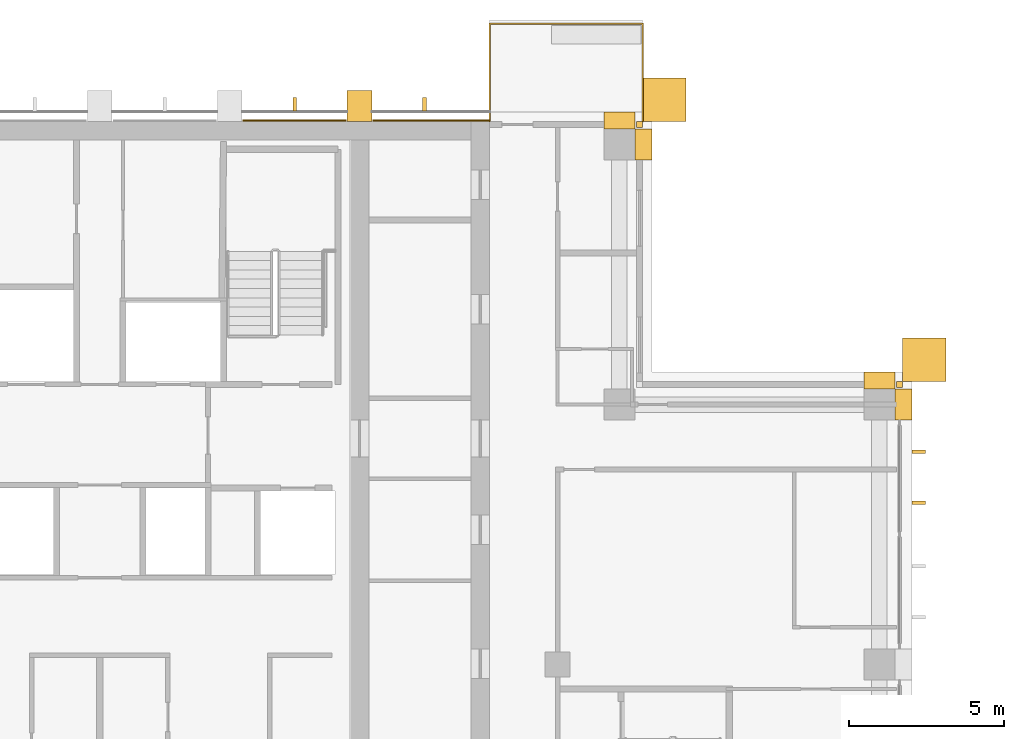
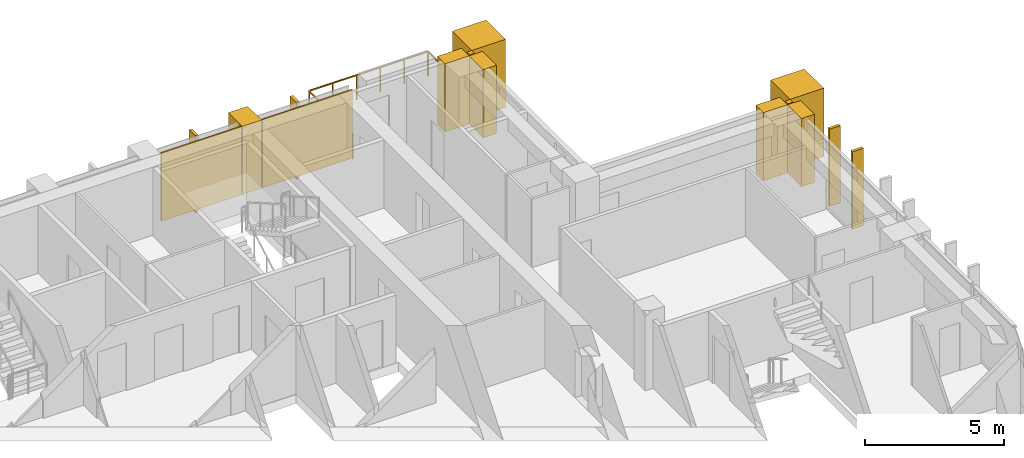
# One storey, part 19 of 19: 15 coverings, 1 railing.
"""IFC4 building model written with IfcOpenShell, lengths in metres."""

from ifc_helpers import new_model, si_unit, direction, frame, origin, origin_2d, place, context, subcontext, project, spatial, polyline, rectangle, outline, extrude, material, layer, layer_set, type_object, element, save


model = new_model("IFC4")

# Units and contexts
model_context = context("Model", 3, precision=1e-05, world=origin(), true_north=direction((0.0, 1.0)))
body_context = subcontext(model_context, "Body", "Model", "MODEL_VIEW")
ifc_project = project(units=[si_unit("LENGTHUNIT", "METRE"), si_unit("AREAUNIT", "SQUARE_METRE"), si_unit("VOLUMEUNIT", "CUBIC_METRE"), si_unit("PLANEANGLEUNIT", "RADIAN"), si_unit("MASSUNIT", "GRAM", prefix="KILO")], contexts=[model_context])

# Site, building, storey
site_placement = place(None, origin())
site = spatial("IfcSite", under=ifc_project, at=site_placement, CompositionType="ELEMENT")
building_placement = place(site_placement, origin())
building = spatial("IfcBuilding", under=site, at=building_placement, Name="Vermilion Ogive Tower", CompositionType="ELEMENT")
storey_placement = place(building_placement, frame((0.0, 0.0, 213.5)))
storey = spatial("IfcBuildingStorey", under=building, at=storey_placement, Name="L56", CompositionType="ELEMENT", Elevation=213.5)

# Railing
ifc_material_1 = material(Name="Stainless steel and glass", Category="steel")
railing_type = type_object("IfcRailingType", Name="Balcony guard", PredefinedType="GUARDRAIL", material=ifc_material_1)
railing_placement = place(storey_placement, frame((17.550048828125, 21.75, -0.0400390625)))
element("IfcRailing", 1, at=railing_placement, inside=storey, type_object=railing_type, Name="Guard N101", PredefinedType="GUARDRAIL", context=body_context, shape_type="SweptSolid", body=[
    extrude(rectangle(XDim=0.048095703125, YDim=0.048095703125, at=origin_2d()), frame((0.0, 0.0, 1.076171875), z_axis=(0.0, 1.0, 0.0), x_axis=(-1.0, 0.0, 0.0)), (0.0, 0.0, 1.0), 3.159912109375),
    extrude(rectangle(XDim=0.048095703125, YDim=0.048095703125, at=origin_2d()), frame((0.0, 3.159912109375, 1.076171875), z_axis=(-1.0, 0.0, 0.0), x_axis=(0.0, -1.0, 0.0)), (0.0, 0.0, 1.0), 4.949951171875),
    extrude(rectangle(XDim=0.048095703125, YDim=0.048095703125, at=origin_2d()), frame((-4.949951171875, 3.159912109375, 1.076171875), z_axis=(0.0, -1.0, 0.0), x_axis=(1.0, 0.0, 0.0)), (0.0, 0.0, 1.0), 3.159912109375),
    extrude(rectangle(XDim=0.0419921875, YDim=0.0419921875, at=origin_2d()), origin(), (0.0, 0.0, 1.0), 1.052001953125),
    extrude(rectangle(XDim=0.0419921875, YDim=0.0419921875, at=origin_2d()), frame((0.0, 1.05322265625, 0.0)), (0.0, 0.0, 1.0), 1.052001953125),
    extrude(rectangle(XDim=0.0419921875, YDim=0.0419921875, at=origin_2d()), frame((0.0, 2.106689453125, 0.0)), (0.0, 0.0, 1.0), 1.052001953125),
    extrude(rectangle(XDim=0.0419921875, YDim=0.0419921875, at=origin_2d()), frame((0.0, 3.159912109375, 0.0)), (0.0, 0.0, 1.0), 1.052001953125),
    extrude(rectangle(XDim=0.0419921875, YDim=0.0419921875, at=origin_2d()), frame((-0.989990234375, 3.159912109375, 0.0)), (0.0, 0.0, 1.0), 1.052001953125),
    extrude(rectangle(XDim=0.0419921875, YDim=0.0419921875, at=origin_2d()), frame((-1.97998046875, 3.159912109375, 0.0)), (0.0, 0.0, 1.0), 1.052001953125),
    extrude(rectangle(XDim=0.0419921875, YDim=0.0419921875, at=origin_2d()), frame((-2.969970703125, 3.159912109375, 0.0)), (0.0, 0.0, 1.0), 1.052001953125),
    extrude(rectangle(XDim=0.0419921875, YDim=0.0419921875, at=origin_2d()), frame((-3.9599609375, 3.159912109375, 0.0)), (0.0, 0.0, 1.0), 1.052001953125),
    extrude(rectangle(XDim=0.0419921875, YDim=0.0419921875, at=origin_2d()), frame((-4.949951171875, 3.159912109375, 0.0)), (0.0, 0.0, 1.0), 1.052001953125),
    extrude(rectangle(XDim=0.0419921875, YDim=0.0419921875, at=origin_2d()), frame((-4.949951171875, 2.106689453125, 0.0)), (0.0, 0.0, 1.0), 1.052001953125),
    extrude(rectangle(XDim=0.0419921875, YDim=0.0419921875, at=origin_2d()), frame((-4.949951171875, 1.05322265625, 0.0)), (0.0, 0.0, 1.0), 1.052001953125),
    extrude(rectangle(XDim=0.0419921875, YDim=0.0419921875, at=origin_2d()), frame((-4.949951171875, 0.0, 0.0)), (0.0, 0.0, 1.0), 1.052001953125),
])

# Coverings
ifc_material_2 = material(Name="Glazed ceramic screen")
ifc_layer = layer(ifc_material_2, 0.14990234375)
ifc_layer_set = layer_set([ifc_layer], Name="Ceramic solar screen fin")
covering_type_1 = type_object("IfcCoveringType", Name="Ceramic solar screen fin", PredefinedType="CLADDING", material=ifc_layer_set)
covering_1_placement = place(storey_placement, frame((0.0, 0.0, -0.39990234375)))
element("IfcCovering", 2, at=covering_1_placement, inside=storey, type_object=covering_type_1, Name="Solar screen blade E021", PredefinedType="CLADDING", context=body_context, shape_type="SweptSolid", body=[
    extrude(outline(polyline([(26.699951171875, 9.364990234375), (26.699951171875, 9.485107421875), (26.25, 9.485107421875), (26.25, 9.364990234375), (26.699951171875, 9.364990234375)])), origin(), (0.0, 0.0, 1.0), 3.39990234375),
])
covering_2_placement = place(storey_placement, frame((0.0, 0.0, -0.39990234375)))
element("IfcCovering", 3, at=covering_2_placement, inside=storey, type_object=covering_type_1, Name="Solar screen blade E022", PredefinedType="CLADDING", context=body_context, shape_type="SweptSolid", body=[
    extrude(outline(polyline([(26.699951171875, 11.014892578125), (26.699951171875, 11.135009765625), (26.25, 11.135009765625), (26.25, 11.014892578125), (26.699951171875, 11.014892578125)])), origin(), (0.0, 0.0, 1.0), 3.39990234375),
])
covering_3_placement = place(storey_placement, frame((0.0, 0.0, -0.39990234375)))
element("IfcCovering", 4, at=covering_3_placement, inside=storey, type_object=covering_type_1, Name="Solar screen blade N5", PredefinedType="CLADDING", context=body_context, shape_type="SweptSolid", body=[
    extrude(outline(polyline([(6.239990234375, 22.08203125), (6.360107421875, 22.08203125), (6.360107421875, 22.531982421875), (6.239990234375, 22.531982421875), (6.239990234375, 22.08203125)])), origin(), (0.0, 0.0, 1.0), 3.39990234375),
])
covering_4_placement = place(storey_placement, frame((0.0, 0.0, -0.39990234375)))
element("IfcCovering", 5, at=covering_4_placement, inside=storey, type_object=covering_type_1, Name="Solar screen blade N6", PredefinedType="CLADDING", context=body_context, shape_type="SweptSolid", body=[
    extrude(outline(polyline([(10.43994140625, 22.08203125), (10.56005859375, 22.08203125), (10.56005859375, 22.531982421875), (10.43994140625, 22.531982421875), (10.43994140625, 22.08203125)])), origin(), (0.0, 0.0, 1.0), 3.39990234375),
])
ifc_material_3 = material(Name="Stone cladding", Category="masonry")
covering_type_2 = type_object("IfcCoveringType", Name="Stone buttress pier", PredefinedType="CLADDING", material=ifc_material_3)
covering_5_placement = place(storey_placement, origin())
element("IfcCovering", 6, at=covering_5_placement, inside=storey, type_object=covering_type_2, Name="Stone buttress pier N5", PredefinedType="CLADDING", context=body_context, shape_type="SweptSolid", body=[
    extrude(outline(polyline([(8.0, 21.75), (8.800048828125, 21.75), (8.800048828125, 22.75), (8.0, 22.75), (8.0, 21.75)])), origin(), (0.0, 0.0, 1.0), 3.0),
])
ifc_material_4 = material(Name="Stone cladding", Category="masonry")
covering_type_3 = type_object("IfcCoveringType", Name="Stone cladding panel", PredefinedType="CLADDING", material=ifc_material_4)
covering_6_placement = place(storey_placement, origin())
element("IfcCovering", 7, at=covering_6_placement, inside=storey, type_object=covering_type_3, Name="Stone cladding panel N5", PredefinedType="CLADDING", context=body_context, shape_type="SweptSolid", body=[
    extrude(outline(polyline([(4.6298828125, 21.75), (7.969970703125, 21.75), (7.969970703125, 21.81005859375), (4.6298828125, 21.81005859375), (4.6298828125, 21.75)])), origin(), (0.0, 0.0, 1.0), 3.0),
])
covering_7_placement = place(storey_placement, origin())
element("IfcCovering", 8, at=covering_7_placement, inside=storey, type_object=covering_type_3, Name="Stone cladding panel N6", PredefinedType="CLADDING", context=body_context, shape_type="SweptSolid", body=[
    extrude(outline(polyline([(8.830078125, 21.75), (12.590087890625, 21.75), (12.590087890625, 21.81005859375), (8.830078125, 21.81005859375), (8.830078125, 21.75)])), origin(), (0.0, 0.0, 1.0), 3.0),
])
ifc_material_5 = material(Name="Stone cladding", Category="masonry")
covering_type_4 = type_object("IfcCoveringType", Name="Stone corner buttress", PredefinedType="CLADDING", material=ifc_material_5)
covering_8_placement = place(storey_placement, origin())
element("IfcCovering", 9, at=covering_8_placement, inside=storey, type_object=covering_type_4, Name="Stone corner buttress X31", PredefinedType="CLADDING", context=body_context, shape_type="SweptSolid", body=[
    extrude(outline(polyline([(27.35009765625, 14.75), (27.35009765625, 13.35009765625), (25.949951171875, 13.35009765625), (25.949951171875, 14.75), (27.35009765625, 14.75)])), origin(), (0.0, 0.0, 1.0), 3.0),
])
covering_9_placement = place(storey_placement, origin())
element("IfcCovering", 10, at=covering_9_placement, inside=storey, type_object=covering_type_4, Name="Stone corner buttress N11", PredefinedType="CLADDING", context=body_context, shape_type="SweptSolid", body=[
    extrude(outline(polyline([(18.949951171875, 21.75), (17.550048828125, 21.75), (17.550048828125, 22.050048828125), (17.550048828125, 23.14990234375), (18.949951171875, 23.14990234375), (18.949951171875, 21.75)])), origin(), (0.0, 0.0, 1.0), 3.0),
])
ifc_material_6 = material(Name="Stone cladding", Category="masonry")
covering_type_5 = type_object("IfcCoveringType", Name="Stone pier", PredefinedType="CLADDING", material=ifc_material_6)
covering_10_placement = place(storey_placement, origin())
element("IfcCovering", 11, at=covering_10_placement, inside=storey, type_object=covering_type_5, Name="Stone pier P+0168+210X4", PredefinedType="CLADDING", context=body_context, shape_type="SweptSolid", body=[
    extrude(outline(polyline([(17.85009765625, 21.5), (17.85009765625, 20.5), (17.300048828125, 20.5), (17.300048828125, 21.5), (17.85009765625, 21.5)])), origin(), (0.0, 0.0, 1.0), 3.0),
])
covering_11_placement = place(storey_placement, origin())
element("IfcCovering", 12, at=covering_11_placement, inside=storey, type_object=covering_type_5, Name="Stone pier P+0168+210N1", PredefinedType="CLADDING", context=body_context, shape_type="SweptSolid", body=[
    extrude(outline(polyline([(17.300048828125, 22.050048828125), (17.300048828125, 21.5), (16.300048828125, 21.5), (16.300048828125, 22.050048828125), (17.300048828125, 22.050048828125)])), origin(), (0.0, 0.0, 1.0), 3.0),
])
covering_12_placement = place(storey_placement, origin())
element("IfcCovering", 13, at=covering_12_placement, inside=storey, type_object=covering_type_5, Name="Stone pier P+0252+126E", PredefinedType="CLADDING", context=body_context, shape_type="SweptSolid", body=[
    extrude(outline(polyline([(26.25, 13.10009765625), (26.25, 12.10009765625), (25.699951171875, 12.10009765625), (25.699951171875, 13.10009765625), (26.25, 13.10009765625)])), origin(), (0.0, 0.0, 1.0), 3.0),
])
covering_13_placement = place(storey_placement, origin())
element("IfcCovering", 14, at=covering_13_placement, inside=storey, type_object=covering_type_5, Name="Stone pier P+0252+126X3", PredefinedType="CLADDING", context=body_context, shape_type="SweptSolid", body=[
    extrude(outline(polyline([(25.699951171875, 13.64990234375), (25.699951171875, 13.10009765625), (24.699951171875, 13.10009765625), (24.699951171875, 13.64990234375), (25.699951171875, 13.64990234375)])), origin(), (0.0, 0.0, 1.0), 3.0),
])
covering_14_placement = place(storey_placement, origin())
element("IfcCovering", 15, at=covering_14_placement, inside=storey, type_object=covering_type_5, Name="Stone corner pier EE1", PredefinedType="CLADDING", context=body_context, shape_type="SweptSolid", body=[
    extrude(outline(polyline([(25.75, 13.14990234375), (25.75, 13.35009765625), (25.949951171875, 13.35009765625), (25.949951171875, 13.14990234375), (25.75, 13.14990234375)])), origin(), (0.0, 0.0, 1.0), 3.0),
])
covering_15_placement = place(storey_placement, origin())
element("IfcCovering", 16, at=covering_15_placement, inside=storey, type_object=covering_type_5, Name="Stone corner pier X4E1", PredefinedType="CLADDING", context=body_context, shape_type="SweptSolid", body=[
    extrude(outline(polyline([(17.35009765625, 21.550048828125), (17.35009765625, 21.75), (17.550048828125, 21.75), (17.550048828125, 21.550048828125), (17.35009765625, 21.550048828125)])), origin(), (0.0, 0.0, 1.0), 3.0),
])

save(model, "model.ifc")
